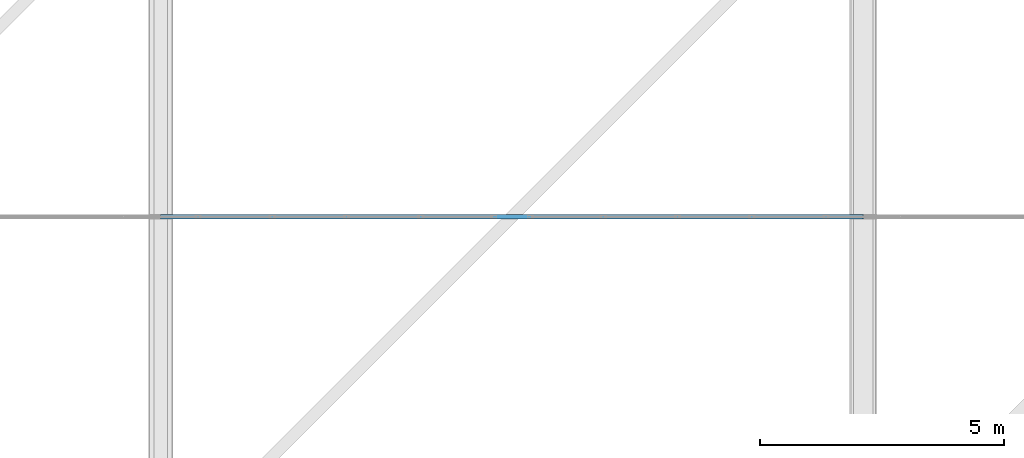
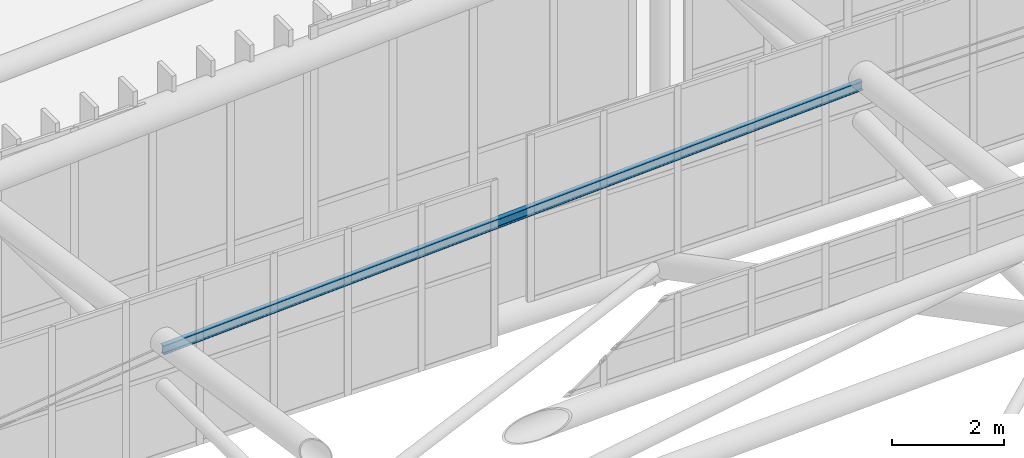
# One storey, part 248 of 397: 1 member.
"""IFC4 building model written with IfcOpenShell, lengths in metres."""

from ifc_helpers import new_model, si_unit, direction, frame, origin, origin_2d, place, context, subcontext, project, spatial, i_section, extrude, material, material_profile, profile_set, type_object, element, save


model = new_model("IFC4")

# Units and contexts
model_context = context("Model", 3, precision=1e-05, world=origin(), true_north=direction((0.0, 1.0)))
body_context = subcontext(model_context, "Body", "Model", "MODEL_VIEW")
ifc_project = project(units=[si_unit("LENGTHUNIT", "METRE"), si_unit("AREAUNIT", "SQUARE_METRE"), si_unit("VOLUMEUNIT", "CUBIC_METRE"), si_unit("PLANEANGLEUNIT", "RADIAN"), si_unit("MASSUNIT", "GRAM", prefix="KILO")], contexts=[model_context])

# Site, building, storey
site_placement = place(None, origin())
site = spatial("IfcSite", under=ifc_project, at=site_placement, CompositionType="ELEMENT")
building_placement = place(site_placement, origin())
building = spatial("IfcBuilding", under=site, at=building_placement, Name="Qandorah Velis Arena", CompositionType="ELEMENT")
storey_placement = place(building_placement, frame((0.0, 0.0, 27.5)))
storey = spatial("IfcBuildingStorey", under=building, at=storey_placement, Name="RF", CompositionType="ELEMENT", Elevation=27.5)

# Member
ifc_material = material(Name="Steel S355", Category="steel")
ifc_material_profile = material_profile(ifc_material, i_section(OverallWidth=0.10009765625, OverallDepth=0.199951171875, WebThickness=0.005615234375, FlangeThickness=0.008544921875, FilletRadius=0.011962890625, at=origin_2d()), Name="IPE 200")
ifc_profile_set = profile_set([ifc_material_profile], Name="Steel S355")
member_type = type_object("IfcMemberType", Name="STR-PRL-IPE200", PredefinedType="PURLIN", material=ifc_profile_set)
member_placement = place(storey_placement, frame((43.199951171875, 108.0, 7.659423828125), z_axis=(0.998717602589, 0.0, 0.050627564412), x_axis=(0.0, 1.0, 0.0)))
element("IfcMember", 1, at=member_placement, inside=storey, type_object=member_type, Name="Arena roof purlin PRL-2.6", PredefinedType="PURLIN", context=body_context, shape_type="SweptSolid", body=[
    extrude(i_section(OverallWidth=0.10009765625, OverallDepth=0.199951171875, WebThickness=0.005615234375, FlangeThickness=0.008544921875, FilletRadius=0.011962890625, at=origin_2d()), origin(), (0.0, 0.0, 1.0), 14.418701171875),
])

save(model, "model.ifc")
